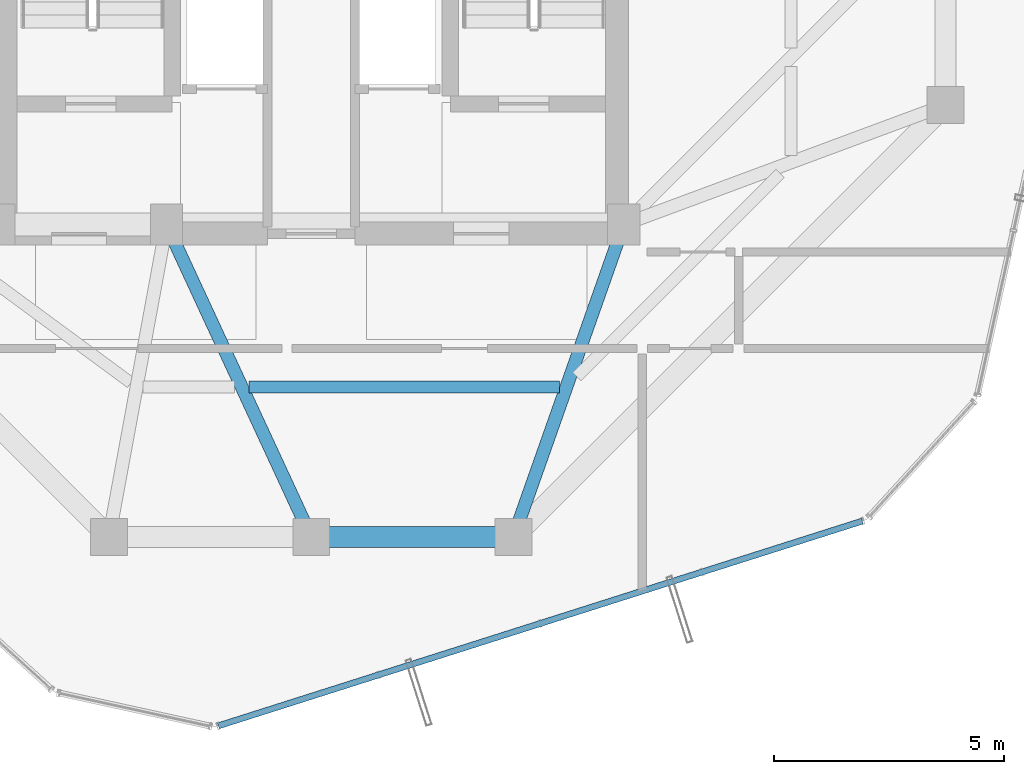
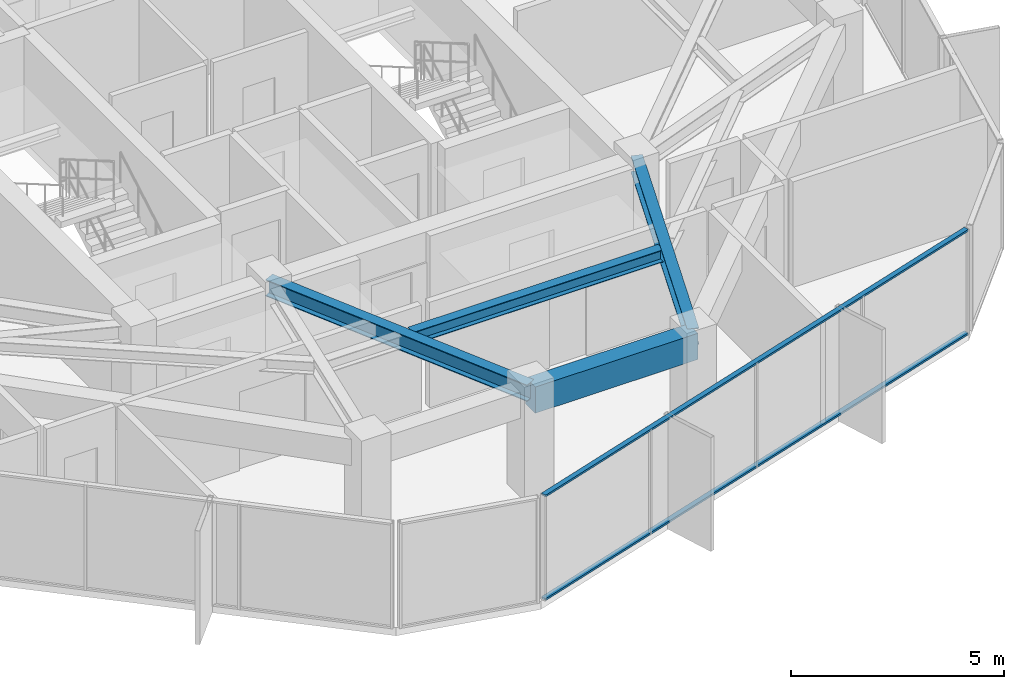
# One storey, part 8 of 28: 4 beams, 2 members, 1 element without a shape of its own.
"""IFC4 building model written with IfcOpenShell, lengths in metres."""

from ifc_helpers import new_model, si_unit, direction, frame, origin, origin_2d, place, context, subcontext, project, spatial, rectangle, hollow_rectangle, i_section, extrude, source, transform, mapped, material, layer, layer_set, material_profile, profile_set, type_object, element, aggregate, save


model = new_model("IFC4")

# Units and contexts
model_context = context("Model", 3, precision=1e-05, world=origin(), true_north=direction((0.0, 1.0)))
body_context = subcontext(model_context, "Body", "Model", "MODEL_VIEW")
ifc_project = project(units=[si_unit("LENGTHUNIT", "METRE"), si_unit("AREAUNIT", "SQUARE_METRE"), si_unit("VOLUMEUNIT", "CUBIC_METRE"), si_unit("PLANEANGLEUNIT", "RADIAN"), si_unit("MASSUNIT", "GRAM", prefix="KILO")], contexts=[model_context])

# Site, building, storey
site_placement = place(None, origin())
site = spatial("IfcSite", under=ifc_project, at=site_placement, CompositionType="ELEMENT")
building_placement = place(site_placement, origin())
building = spatial("IfcBuilding", under=site, at=building_placement, Name="Veraguas Prism Commons", CompositionType="ELEMENT")
storey_placement = place(building_placement, frame((0.0, 0.0, 251.25)))
storey = spatial("IfcBuildingStorey", under=building, at=storey_placement, Name="L71", CompositionType="ELEMENT", Elevation=251.25)

# Beams
ifc_material_1 = material(Name="Concrete C50/60", Category="concrete")
ifc_material_profile_1 = material_profile(ifc_material_1, rectangle(XDim=0.449951171875, YDim=0.75, at=origin_2d()), Name="RC450X750")
ifc_profile_set_1 = profile_set([ifc_material_profile_1], Name="Concrete C50/60")
beam_type_1 = type_object("IfcBeamType", Name="Perimeter Spandrel Upper RC 450x750", PredefinedType="SPANDREL", material=ifc_profile_set_1)
beam_1_placement = place(storey_placement, frame((24.0, 10.199951171875, 2.639892578125), z_axis=(1.0, 0.0, 0.0), x_axis=(0.0, 1.0, 0.0)))
element("IfcBeam", 1, at=beam_1_placement, inside=storey, type_object=beam_type_1, Name="Perimeter Spandrel Beam L71-SP11", PredefinedType="SPANDREL", context=body_context, shape_type="SweptSolid", body=[
    extrude(rectangle(XDim=0.449951171875, YDim=0.75, at=origin_2d()), origin(), (0.0, 0.0, 1.0), 4.39990234375),
])
ifc_material_2 = material(Name="Steel ASTM A992 Grade 50", Category="steel")
ifc_material_profile_2 = material_profile(ifc_material_2, i_section(OverallWidth=0.25390625, OverallDepth=0.35302734375, WebThickness=0.009521484375, FlangeThickness=0.016357421875, at=origin_2d()), Name="W360X91")
ifc_profile_set_2 = profile_set([ifc_material_profile_2], Name="Steel ASTM A992 Grade 50")
beam_type_2 = type_object("IfcBeamType", Name="Upper Floor Joist W360x91", PredefinedType="JOIST", material=ifc_profile_set_2)
beam_2_placement = place(storey_placement, frame((22.6416015625, 13.464111328125, 2.83837890625), z_axis=(1.0, 0.0, 0.0), x_axis=(0.0, 1.0, 0.0)))
element("IfcBeam", 2, at=beam_2_placement, inside=storey, type_object=beam_type_2, Name="Composite Floor Joist L71-JS11", PredefinedType="JOIST", context=body_context, shape_type="SweptSolid", body=[
    extrude(i_section(OverallWidth=0.25390625, OverallDepth=0.35302734375, WebThickness=0.009521484375, FlangeThickness=0.016357421875, at=origin_2d()), origin(), (0.0, 0.0, 1.0), 6.762451171875),
])
ifc_material_profile_3 = material_profile(ifc_material_2, i_section(OverallWidth=0.282958984375, OverallDepth=0.471923828125, WebThickness=0.013671875, FlangeThickness=0.022216796875, at=origin_2d()), Name="W460X144")
ifc_profile_set_3 = profile_set([ifc_material_profile_3], Name="Steel ASTM A992 Grade 50")
beam_type_3 = type_object("IfcBeamType", Name="Zone 4 Radial Girder W460x144", PredefinedType="BEAM", material=ifc_profile_set_3)
beam_3_placement = place(storey_placement, frame((24.0, 10.199951171875, 2.779052734375), z_axis=(-0.420313834543, 0.907378796585, 0.0), x_axis=(-0.907378796585, -0.420313834543, 0.0)))
element("IfcBeam", 3, at=beam_3_placement, inside=storey, type_object=beam_type_3, Name="Radial Floor Girder L71-RD11", PredefinedType="BEAM", context=body_context, shape_type="SweptSolid", body=[
    extrude(i_section(OverallWidth=0.282958984375, OverallDepth=0.471923828125, WebThickness=0.013671875, FlangeThickness=0.022216796875, at=origin_2d()), origin(), (0.0, 0.0, 1.0), 7.494140625),
])
beam_4_placement = place(storey_placement, frame((28.39990234375, 10.199951171875, 2.779052734375), z_axis=(0.332836055941, 0.942984708182, 0.0), x_axis=(-0.942984708182, 0.332836055941, 0.0)))
element("IfcBeam", 4, at=beam_4_placement, inside=storey, type_object=beam_type_3, Name="Radial Floor Girder L71-RD12", PredefinedType="BEAM", context=body_context, shape_type="SweptSolid", body=[
    extrude(i_section(OverallWidth=0.282958984375, OverallDepth=0.471923828125, WebThickness=0.013671875, FlangeThickness=0.022216796875, at=origin_2d()), origin(), (0.0, 0.0, 1.0), 7.211181640625),
])

# Curtain wall, members
ifc_material_3 = material(Name="Anodised aluminium EN AW-6063 T6", Category="aluminium")
ifc_layer = layer(ifc_material_3, 0.14990234375, Name="Unitised Flush Curtain Wall Zone 4", Category="aluminium")
ifc_layer_set = layer_set([ifc_layer], Name="Anodised aluminium EN AW-6063 T6")
curtain_wall_type = type_object("IfcCurtainWallType", Name="Unitised Flush Curtain Wall Zone 4", PredefinedType="NOTDEFINED", material=ifc_layer_set)
curtain_wall_placement = place(storey_placement, origin())
curtain_wall = element("IfcCurtainWall", 5, at=curtain_wall_placement, inside=storey, type_object=curtain_wall_type, Name="Tower Facade Curtain Wall L71-F5", PredefinedType="NOTDEFINED")
ifc_material_profile_4 = material_profile(ifc_material_3, hollow_rectangle(XDim=0.054931640625, YDim=0.135009765625, WallThickness=0.0029296875, at=origin_2d()), Name="AL55X135X3")
ifc_profile_set_4 = profile_set([ifc_material_profile_4], Name="Anodised aluminium EN AW-6063 T6")
member_type = type_object("IfcMemberType", Name="Curtain Wall Transom Standard AL 55x135x3", PredefinedType="USERDEFINED", material=ifc_profile_set_4)
shared_shape = source(origin(), body_context, "Body", "SweptSolid", [
    extrude(hollow_rectangle(XDim=0.054931640625, YDim=0.135009765625, WallThickness=0.0029296875, at=origin_2d()), origin(), (0.0, 0.0, 1.0), 14.7060546875),
])
member_1_placement = place(storey_placement, frame((21.97900390625, 6.091064453125, 0.027587890625), z_axis=(0.952978092461, 0.303039197613, 0.0), x_axis=(0.0, 0.0, 1.0)))
member_1 = element("IfcMember", 6, at=member_1_placement, type_object=member_type, Name="CW-Z4 Transom 1", ObjectType="TRANSOM", PredefinedType="USERDEFINED", context=body_context, shape_type="MappedRepresentation", body=[
    mapped(shared_shape, transform((0.0, 0.0, 0.0), scale=1.0)),
])
member_2_placement = place(storey_placement, frame((21.97900390625, 6.091064453125, 2.987548828125), z_axis=(0.952978092461, 0.303039197613, 0.0), x_axis=(0.0, 0.0, 1.0)))
member_2 = element("IfcMember", 7, at=member_2_placement, type_object=member_type, Name="CW-Z4 Transom 2", ObjectType="TRANSOM", PredefinedType="USERDEFINED", context=body_context, shape_type="MappedRepresentation", body=[
    mapped(shared_shape, transform((0.0, 0.0, 0.0), scale=1.0)),
])
aggregate(curtain_wall, [member_1, member_2])

save(model, "model.ifc")
